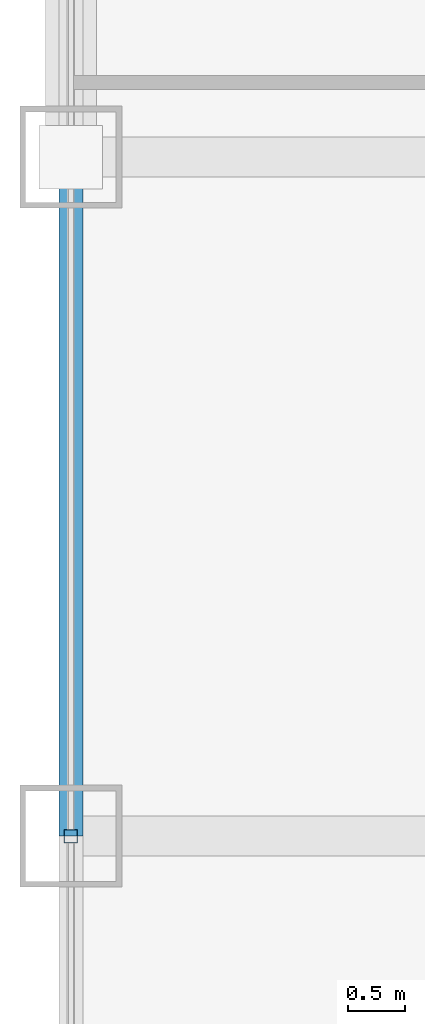
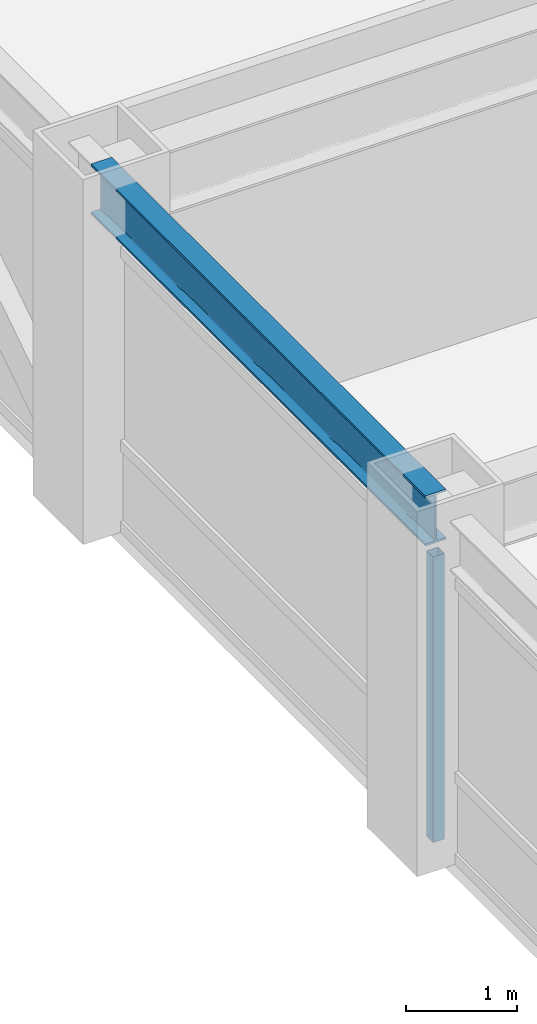
# One storey, part 6 of 22: 1 beam, 1 member, 1 element without a shape of its own.
"""IFC4 building model written with IfcOpenShell, lengths in metres."""

from ifc_helpers import new_model, si_unit, direction, frame, origin, origin_2d, place, context, subcontext, project, spatial, hollow_rectangle, i_section, extrude, source, transform, mapped, material, material_profile, profile_set, type_object, element, aggregate, save


model = new_model("IFC4")

# Units and contexts
model_context = context("Model", 3, precision=1e-05, world=origin(), true_north=direction((0.0, 1.0)))
body_context = subcontext(model_context, "Body", "Model", "MODEL_VIEW")
ifc_project = project(units=[si_unit("LENGTHUNIT", "METRE"), si_unit("AREAUNIT", "SQUARE_METRE"), si_unit("VOLUMEUNIT", "CUBIC_METRE"), si_unit("PLANEANGLEUNIT", "RADIAN"), si_unit("MASSUNIT", "GRAM", prefix="KILO")], contexts=[model_context])

# Site, building, storey
site_placement = place(None, origin())
site = spatial("IfcSite", under=ifc_project, at=site_placement, CompositionType="ELEMENT")
building_placement = place(site_placement, origin())
building = spatial("IfcBuilding", under=site, at=building_placement, Name="Khorayat Bourse Tower", CompositionType="ELEMENT")
storey_placement = place(building_placement, frame((0.0, 0.0, 293.5)))
storey = spatial("IfcBuildingStorey", under=building, at=storey_placement, Name="L69", CompositionType="ELEMENT", Elevation=293.5)

# Beam
ifc_material_1 = material(Name="Steel ASTM A992 Grade 50", Category="steel")
ifc_material_profile_1 = material_profile(ifc_material_1, i_section(OverallWidth=0.214111328125, OverallDepth=0.549072265625, WebThickness=0.0146484375, FlangeThickness=0.023681640625, FilletRadius=0.013916015625, at=origin_2d()), Name="W530X138")
ifc_profile_set_1 = profile_set([ifc_material_profile_1], Name="Steel ASTM A992 Grade 50")
beam_type = type_object("IfcBeamType", Name="BM-SPAN-530", PredefinedType="SPANDREL", material=ifc_profile_set_1)
shared_shape_1 = source(origin(), body_context, "Body", "SweptSolid", [
    extrude(i_section(OverallWidth=0.214111328125, OverallDepth=0.549072265625, WebThickness=0.0146484375, FlangeThickness=0.023681640625, FilletRadius=0.013916015625, at=origin_2d()), origin(), (0.0, 0.0, 1.0), 6.0),
])
beam_placement = place(storey_placement, frame((-28.0, 0.0, 3.505615234375), z_axis=(0.0, 1.0, 0.0), x_axis=(-1.0, 0.0, 0.0)))
element("IfcBeam", 1, at=beam_placement, inside=storey, type_object=beam_type, Name="L69 BM-SPAN-530 BM-L69-SPN-057", PredefinedType="SPANDREL", context=body_context, shape_type="MappedRepresentation", body=[
    mapped(shared_shape_1, transform((0.0, 0.0, 0.0), scale=1.0)),
])

# Curtain wall, member
ifc_material_2 = material(Name="Aluminium EN AW-6063 T6", Category="aluminium")
curtain_wall_type = type_object("IfcCurtainWallType", Name="CW-SYS-04", PredefinedType="NOTDEFINED", material=ifc_material_2)
curtain_wall_placement = place(storey_placement, origin())
curtain_wall = element("IfcCurtainWall", 2, at=curtain_wall_placement, inside=storey, type_object=curtain_wall_type, Name="L69 Curtain Wall CW-L69-W1", PredefinedType="NOTDEFINED")
ifc_material_profile_2 = material_profile(ifc_material_2, hollow_rectangle(XDim=0.1201171875, YDim=0.1201171875, WallThickness=0.0048828125, at=origin_2d()), Name="ALU 120x120x5")
ifc_profile_set_2 = profile_set([ifc_material_profile_2], Name="Aluminium EN AW-6063 T6")
member_type = type_object("IfcMemberType", Name="CWM-VERT-120", PredefinedType="MULLION", material=ifc_profile_set_2)
shared_shape_2 = source(origin(), body_context, "Body", "SweptSolid", [
    extrude(hollow_rectangle(XDim=0.1201171875, YDim=0.1201171875, WallThickness=0.0048828125, at=origin_2d()), origin(), (0.0, 0.0, 1.0), 3.1298828125),
])
member_placement = place(storey_placement, frame((-28.0, 0.0, 0.0), z_axis=(0.0, 0.0, 1.0), x_axis=(-1.0, 0.0, 0.0)))
member = element("IfcMember", 3, at=member_placement, type_object=member_type, Name="CW-L69-W1 Vertical Mullion 2", PredefinedType="MULLION", context=body_context, shape_type="MappedRepresentation", body=[
    mapped(shared_shape_2, transform((0.0, 0.0, 0.0), scale=1.0)),
])
aggregate(curtain_wall, [member])

save(model, "model.ifc")
